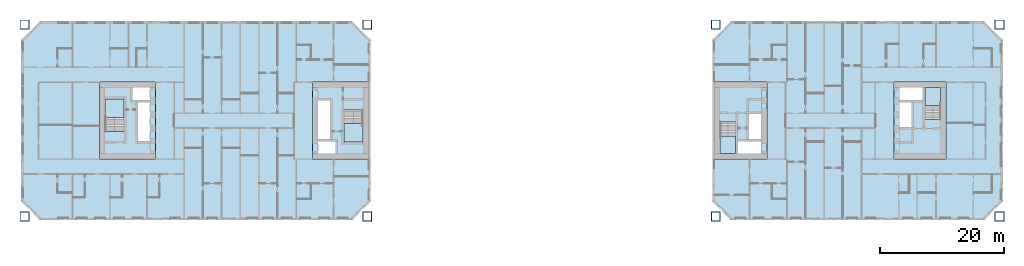
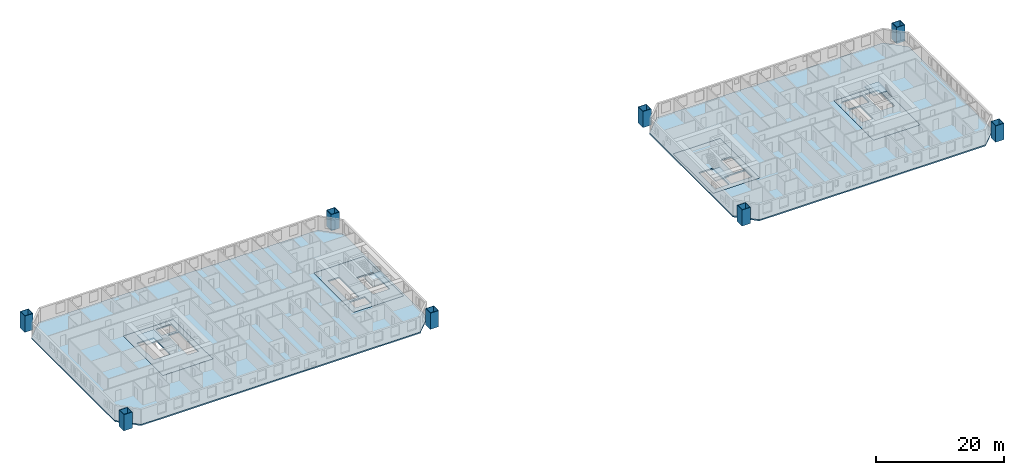
# One storey, part 1 of 18: 10 slabs, 8 columns, 4 elements without a shape of their own.
"""IFC4 building model written with IfcOpenShell, lengths in metres."""

from ifc_helpers import new_model, si_unit, direction, frame, origin, origin_2d, place, context, subcontext, project, spatial, polyline, hollow_rectangle, outline, extrude, material, layer, layer_set, material_profile, profile_set, type_object, element, aggregate, save


model = new_model("IFC4")

# Units and contexts
model_context = context("Model", 3, precision=1e-05, world=origin(), true_north=direction((0.0, 1.0)))
body_context = subcontext(model_context, "Body", "Model", "MODEL_VIEW")
ifc_project = project(units=[si_unit("LENGTHUNIT", "METRE"), si_unit("AREAUNIT", "SQUARE_METRE"), si_unit("VOLUMEUNIT", "CUBIC_METRE"), si_unit("PLANEANGLEUNIT", "RADIAN"), si_unit("MASSUNIT", "GRAM", prefix="KILO")], contexts=[model_context])

# Site, building, storey
site_placement = place(None, origin())
site = spatial("IfcSite", under=ifc_project, at=site_placement, CompositionType="ELEMENT")
building_placement = place(site_placement, origin())
building = spatial("IfcBuilding", under=site, at=building_placement, Name="Tuart Gate Housing", CompositionType="ELEMENT")
storey_placement = place(building_placement, frame((0.0, 0.0, 31.89990234375)))
storey = spatial("IfcBuildingStorey", under=building, at=storey_placement, Name="L08", CompositionType="ELEMENT", Elevation=31.89990234375)

# Columns
ifc_material_1 = material(Name="Steel Grade 350", Category="steel")
ifc_material_profile = material_profile(ifc_material_1, hollow_rectangle(XDim=1.5, YDim=1.5, WallThickness=0.080078125, at=origin_2d()), Name="BOX 1500x1500x80")
ifc_profile_set = profile_set([ifc_material_profile], Name="Steel Grade 350")
column_type = type_object("IfcColumnType", Name="Mega column BOX 1500x1500x80", PredefinedType="COLUMN", material=ifc_profile_set)
for number, where, z_axis, x_axis, name in (
    (1, (20.300048828125, 54.550048828125, 0.0), (0.0, 0.0, 1.0), (1.0, 0.0, 0.0), "Mega column A south-west L08"),
    (2, (75.449951171875, 54.550048828125, 0.0), (0.0, 0.0, 1.0), (1.0, 0.0, 0.0), "Mega column A south-east L08"),
    (3, (75.449951171875, 85.449951171875, 0.0), (0.0, 0.0, 1.0), (1.0, 0.0, 0.0), "Mega column A north-east L08"),
    (4, (20.300048828125, 85.449951171875, 0.0), (0.0, 0.0, 1.0), (1.0, 0.0, 0.0), "Mega column A north-west L08"),
    (5, (131.550048828125, 54.550048828125, 0.0), (0.0, 0.0, 1.0), (1.0, 0.0, 0.0), "Mega column B south-west L08"),
    (6, (177.199951171875, 54.550048828125, 0.0), (0.0, 0.0, 1.0), (1.0, 0.0, 0.0), "Mega column B south-east L08"),
    (7, (177.199951171875, 85.449951171875, 0.0), (0.0, 0.0, 1.0), (1.0, 0.0, 0.0), "Mega column B north-east L08"),
    (8, (131.550048828125, 85.449951171875, 0.0), (0.0, 0.0, 1.0), (1.0, 0.0, 0.0), "Mega column B north-west L08"),
):
    element("IfcColumn", number, at=place(storey_placement, frame(where, z_axis=z_axis, x_axis=x_axis)), inside=storey, type_object=column_type, Name=name, PredefinedType="COLUMN", context=body_context, shape_type="SweptSolid", body=[
        extrude(hollow_rectangle(XDim=1.5, YDim=1.5, WallThickness=0.080078125, at=origin_2d()), origin(), (0.0, 0.0, 1.0), 3.10009765625),
    ])

# Slabs
ifc_material_2 = material(Name="Concrete C40", Category="concrete")
ifc_layer_1 = layer(ifc_material_2, 0.25)
ifc_layer_set_1 = layer_set([ifc_layer_1], Name="Core floor slab 250")
slab_type_1 = type_object("IfcSlabType", Name="Core floor slab 250", PredefinedType="FLOOR", material=ifc_layer_set_1)
slab_1_placement = place(storey_placement, frame((0.0, 0.0, -0.25)))
element("IfcSlab", 9, at=slab_1_placement, inside=storey, type_object=slab_type_1, Name="Core floor AG", PredefinedType="FLOOR", context=body_context, shape_type="SweptSolid", body=[
    extrude(outline(polyline([(66.639892578125, 63.800048828125), (75.639892578125, 63.800048828125), (75.639892578125, 76.199951171875), (66.639892578125, 76.199951171875), (66.639892578125, 63.800048828125)]), holes=[polyline([(67.5400390625, 64.699951171875), (70.31005859375, 64.699951171875), (70.31005859375, 66.64990234375), (67.5400390625, 66.64990234375), (67.5400390625, 64.699951171875)]), polyline([(67.5400390625, 67.050048828125), (69.489990234375, 67.050048828125), (69.489990234375, 73.25), (67.5400390625, 73.25), (67.5400390625, 67.050048828125)]), polyline([(71.739990234375, 66.550048828125), (74.739990234375, 66.550048828125), (74.739990234375, 71.72998046875), (71.739990234375, 71.72998046875), (71.739990234375, 66.550048828125)])]), origin(), (0.0, 0.0, 1.0), 0.25),
])
slab_2_placement = place(storey_placement, frame((0.0, 0.0, -0.25)))
element("IfcSlab", 10, at=slab_2_placement, inside=storey, type_object=slab_type_1, Name="Core floor AK", PredefinedType="FLOOR", context=body_context, shape_type="SweptSolid", body=[
    extrude(outline(polyline([(32.360107421875, 63.800048828125), (41.360107421875, 63.800048828125), (41.360107421875, 76.199951171875), (32.360107421875, 76.199951171875), (32.360107421875, 63.800048828125)]), holes=[polyline([(40.4599609375, 75.300048828125), (37.68994140625, 75.300048828125), (37.68994140625, 73.35009765625), (40.4599609375, 73.35009765625), (40.4599609375, 75.300048828125)]), polyline([(40.4599609375, 72.949951171875), (38.510009765625, 72.949951171875), (38.510009765625, 66.75), (40.4599609375, 66.75), (40.4599609375, 72.949951171875)]), polyline([(36.260009765625, 73.449951171875), (33.260009765625, 73.449951171875), (33.260009765625, 68.27001953125), (36.260009765625, 68.27001953125), (36.260009765625, 73.449951171875)])]), origin(), (0.0, 0.0, 1.0), 0.25),
])
slab_3_placement = place(storey_placement, frame((0.0, 0.0, -0.25)))
element("IfcSlab", 11, at=slab_3_placement, inside=storey, type_object=slab_type_1, Name="Core floor BG", PredefinedType="FLOOR", context=body_context, shape_type="SweptSolid", body=[
    extrude(outline(polyline([(131.360107421875, 63.800048828125), (139.760009765625, 63.800048828125), (139.760009765625, 76.199951171875), (131.360107421875, 76.199951171875), (131.360107421875, 63.800048828125)]), holes=[polyline([(138.860107421875, 66.85009765625), (135.159912109375, 66.85009765625), (135.159912109375, 64.699951171875), (138.860107421875, 64.699951171875), (138.860107421875, 66.85009765625)]), polyline([(138.860107421875, 71.050048828125), (136.909912109375, 71.050048828125), (136.909912109375, 67.050048828125), (138.860107421875, 67.050048828125), (138.860107421875, 71.050048828125)]), polyline([(134.760009765625, 69.780029296875), (132.260009765625, 69.780029296875), (132.260009765625, 64.699951171875), (134.760009765625, 64.699951171875), (134.760009765625, 69.780029296875)])]), origin(), (0.0, 0.0, 1.0), 0.25),
])
slab_4_placement = place(storey_placement, frame((0.0, 0.0, -0.25)))
element("IfcSlab", 12, at=slab_4_placement, inside=storey, type_object=slab_type_1, Name="Core floor BK", PredefinedType="FLOOR", context=body_context, shape_type="SweptSolid", body=[
    extrude(outline(polyline([(160.239990234375, 63.800048828125), (168.639892578125, 63.800048828125), (168.639892578125, 76.199951171875), (160.239990234375, 76.199951171875), (160.239990234375, 63.800048828125)]), holes=[polyline([(161.139892578125, 73.14990234375), (164.840087890625, 73.14990234375), (164.840087890625, 75.300048828125), (161.139892578125, 75.300048828125), (161.139892578125, 73.14990234375)]), polyline([(161.139892578125, 68.949951171875), (163.090087890625, 68.949951171875), (163.090087890625, 72.949951171875), (161.139892578125, 72.949951171875), (161.139892578125, 68.949951171875)]), polyline([(165.239990234375, 70.219970703125), (167.739990234375, 70.219970703125), (167.739990234375, 75.300048828125), (165.239990234375, 75.300048828125), (165.239990234375, 70.219970703125)])]), origin(), (0.0, 0.0, 1.0), 0.25),
])
ifc_material_3 = material(Name="Concrete C40", Category="concrete")
ifc_layer_2 = layer(ifc_material_3, 0.25)
ifc_layer_set_2 = layer_set([ifc_layer_2], Name="Flat plate 250")
slab_type_2 = type_object("IfcSlabType", Name="Flat plate 250", PredefinedType="FLOOR", material=ifc_layer_set_2)
slab_5_placement = place(storey_placement, frame((0.0, 0.0, -0.25)))
element("IfcSlab", 13, at=slab_5_placement, inside=storey, type_object=slab_type_2, Name="Floor slab A L08", PredefinedType="FLOOR", context=body_context, shape_type="SweptSolid", body=[
    extrude(outline(polyline([(22.75, 86.0), (19.75, 83.0), (19.75, 57.0), (22.75, 54.0), (73.0, 54.0), (76.0, 57.0), (76.0, 83.0), (73.0, 86.0), (22.75, 86.0)]), holes=[polyline([(66.639892578125, 76.199951171875), (75.639892578125, 76.199951171875), (75.639892578125, 63.800048828125), (66.639892578125, 63.800048828125), (66.639892578125, 76.199951171875)]), polyline([(41.360107421875, 76.199951171875), (41.360107421875, 63.800048828125), (32.360107421875, 63.800048828125), (32.360107421875, 76.199951171875), (41.360107421875, 76.199951171875)])]), origin(), (0.0, 0.0, 1.0), 0.25),
])
slab_6_placement = place(storey_placement, frame((0.0, 0.0, -0.25)))
element("IfcSlab", 14, at=slab_6_placement, inside=storey, type_object=slab_type_2, Name="Floor slab B L08", PredefinedType="FLOOR", context=body_context, shape_type="SweptSolid", body=[
    extrude(outline(polyline([(134.0, 86.0), (131.0, 83.0), (131.0, 57.0), (134.0, 54.0), (174.75, 54.0), (177.75, 57.0), (177.75, 83.0), (174.75, 86.0), (134.0, 86.0)]), holes=[polyline([(131.360107421875, 76.199951171875), (139.760009765625, 76.199951171875), (139.760009765625, 63.800048828125), (131.360107421875, 63.800048828125), (131.360107421875, 76.199951171875)]), polyline([(168.639892578125, 76.199951171875), (168.639892578125, 63.800048828125), (160.239990234375, 63.800048828125), (160.239990234375, 76.199951171875), (168.639892578125, 76.199951171875)])]), origin(), (0.0, 0.0, 1.0), 0.25),
])

# Stair, slab
ifc_material_4 = material(Name="Concrete C40", Category="concrete")
stair_type_1 = type_object("IfcStairType", Name="Core stair 1500", PredefinedType="HALF_TURN_STAIR", material=ifc_material_4)
stair_1_placement = place(storey_placement, origin())
stair_1 = element("IfcStair", 15, at=stair_1_placement, inside=storey, type_object=stair_type_1, Name="Stair SA1", PredefinedType="HALF_TURN_STAIR")
ifc_material_5 = material(Name="Concrete C40", Category="concrete")
ifc_layer_3 = layer(ifc_material_5, 0.199951171875)
ifc_layer_set_3 = layer_set([ifc_layer_3], Name="Stair landing 200")
slab_type_3 = type_object("IfcSlabType", Name="Stair landing 200", PredefinedType="LANDING", material=ifc_layer_set_3)
slab_7_placement = place(storey_placement, frame((0.0, 0.0, 1.35009765625)))
slab_7 = element("IfcSlab", 16, at=slab_7_placement, type_object=slab_type_3, Name="SA1 landing 1", PredefinedType="LANDING", context=body_context, shape_type="SweptSolid", body=[
    extrude(outline(polyline([(71.739990234375, 66.550048828125), (74.739990234375, 66.550048828125), (74.739990234375, 69.510009765625), (71.739990234375, 69.510009765625), (71.739990234375, 66.550048828125)])), origin(), (0.0, 0.0, 1.0), 0.199951171875),
])
aggregate(stair_1, [slab_7])

stair_2_placement = place(storey_placement, origin())
stair_2 = element("IfcStair", 17, at=stair_2_placement, inside=storey, type_object=stair_type_1, Name="Stair SA2", PredefinedType="HALF_TURN_STAIR")
slab_8_placement = place(storey_placement, frame((0.0, 0.0, 1.35009765625)))
slab_8 = element("IfcSlab", 18, at=slab_8_placement, type_object=slab_type_3, Name="SA2 landing 1", PredefinedType="LANDING", context=body_context, shape_type="SweptSolid", body=[
    extrude(outline(polyline([(36.260009765625, 73.449951171875), (33.260009765625, 73.449951171875), (33.260009765625, 70.489990234375), (36.260009765625, 70.489990234375), (36.260009765625, 73.449951171875)])), origin(), (0.0, 0.0, 1.0), 0.199951171875),
])
aggregate(stair_2, [slab_8])

ifc_material_6 = material(Name="Concrete C40", Category="concrete")
stair_type_2 = type_object("IfcStairType", Name="Core stair 1250", PredefinedType="HALF_TURN_STAIR", material=ifc_material_6)
stair_3_placement = place(storey_placement, origin())
stair_3 = element("IfcStair", 19, at=stair_3_placement, inside=storey, type_object=stair_type_2, Name="Stair SB1", PredefinedType="HALF_TURN_STAIR")
slab_9_placement = place(storey_placement, frame((0.0, 0.0, 1.35009765625)))
slab_9 = element("IfcSlab", 20, at=slab_9_placement, type_object=slab_type_3, Name="SB1 landing 1", PredefinedType="LANDING", context=body_context, shape_type="SweptSolid", body=[
    extrude(outline(polyline([(134.760009765625, 67.56005859375), (132.260009765625, 67.56005859375), (132.260009765625, 64.699951171875), (134.760009765625, 64.699951171875), (134.760009765625, 67.56005859375)])), origin(), (0.0, 0.0, 1.0), 0.199951171875),
])
aggregate(stair_3, [slab_9])

stair_4_placement = place(storey_placement, origin())
stair_4 = element("IfcStair", 21, at=stair_4_placement, inside=storey, type_object=stair_type_2, Name="Stair SB2", PredefinedType="HALF_TURN_STAIR")
slab_10_placement = place(storey_placement, frame((0.0, 0.0, 1.35009765625)))
slab_10 = element("IfcSlab", 22, at=slab_10_placement, type_object=slab_type_3, Name="SB2 landing 1", PredefinedType="LANDING", context=body_context, shape_type="SweptSolid", body=[
    extrude(outline(polyline([(165.239990234375, 72.43994140625), (167.739990234375, 72.43994140625), (167.739990234375, 75.300048828125), (165.239990234375, 75.300048828125), (165.239990234375, 72.43994140625)])), origin(), (0.0, 0.0, 1.0), 0.199951171875),
])
aggregate(stair_4, [slab_10])

save(model, "model.ifc")
